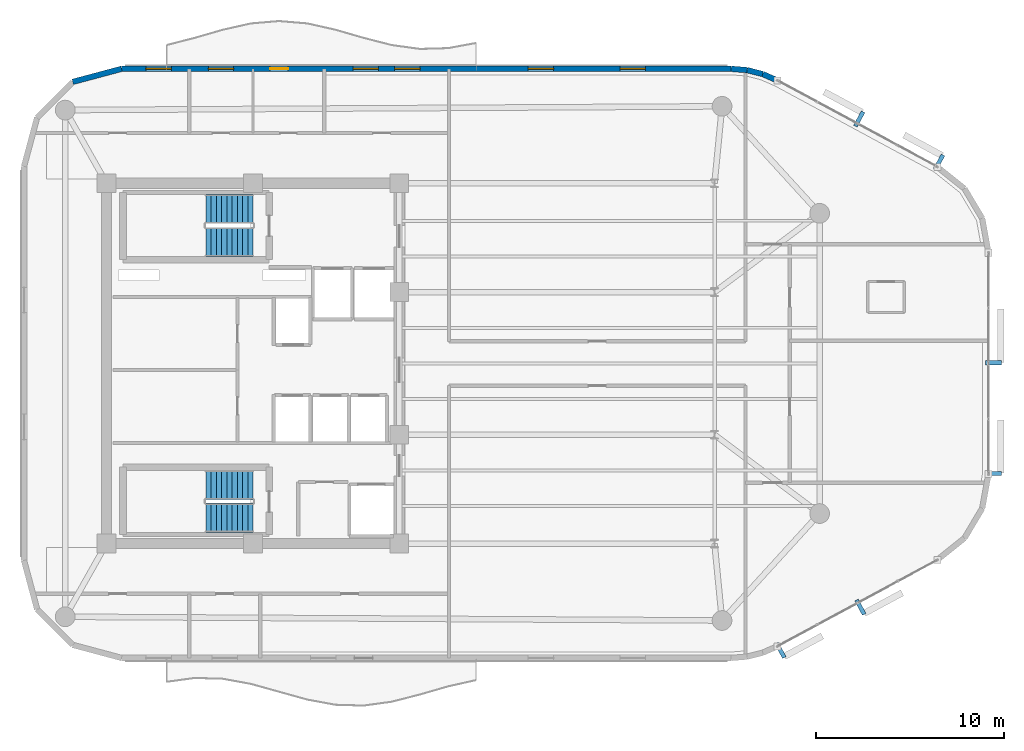
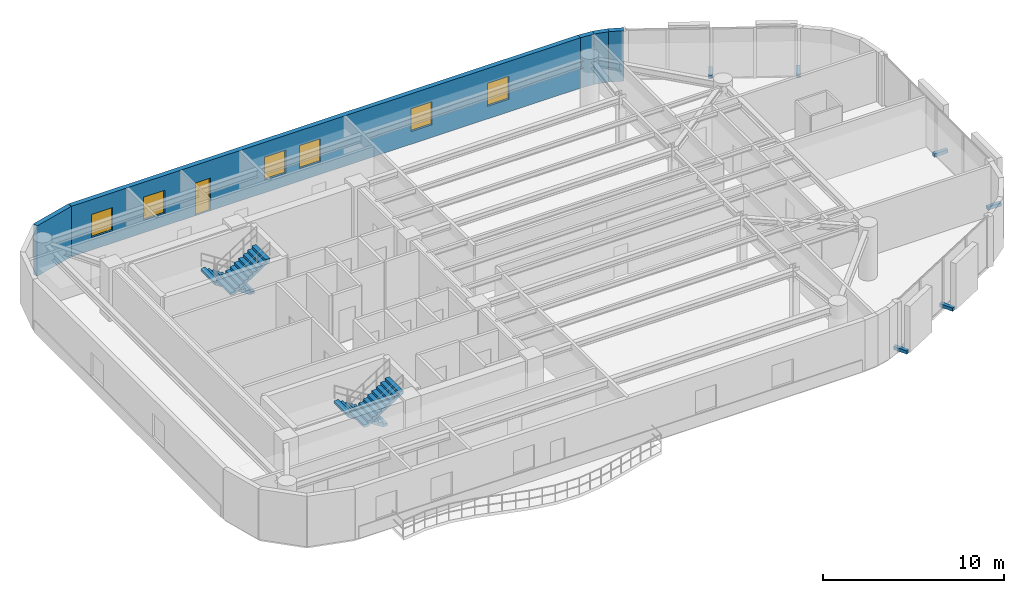
# One storey, part 11 of 13: 6 discrete accessories, 6 windows, 5 walls, 4 stair flights, 1 door, 7 openings, 2 elements without a shape of their own.
"""IFC4 building model written with IfcOpenShell, lengths in metres."""

from ifc_helpers import new_model, si_unit, direction, frame, frame_2d, origin, origin_2d, place, context, subcontext, project, spatial, polyline, rectangle, outline, extrude, material, layer, layer_set, type_object, element, fill, aggregate, save


model = new_model("IFC4")

# Units and contexts
model_context = context("Model", 3, precision=1e-05, world=origin(), true_north=direction((0.0, 1.0)))
body_context = subcontext(model_context, "Body", "Model", "MODEL_VIEW")
ifc_project = project(units=[si_unit("LENGTHUNIT", "METRE"), si_unit("AREAUNIT", "SQUARE_METRE"), si_unit("VOLUMEUNIT", "CUBIC_METRE"), si_unit("PLANEANGLEUNIT", "RADIAN"), si_unit("MASSUNIT", "GRAM", prefix="KILO")], contexts=[model_context])

# Site, building, storey
site_placement = place(None, origin())
site = spatial("IfcSite", under=ifc_project, at=site_placement, CompositionType="ELEMENT")
building_placement = place(site_placement, origin())
building = spatial("IfcBuilding", under=site, at=building_placement, Name="An Khanh Terracotta Commons", CompositionType="ELEMENT")
storey_placement = place(building_placement, frame((0.0, 0.0, 226.5)))
storey = spatial("IfcBuildingStorey", under=building, at=storey_placement, Name="L59", CompositionType="ELEMENT", Elevation=226.5)

# Walls
ifc_material_1 = material(Name="Precast concrete C40/50", Category="concrete")
ifc_layer = layer(ifc_material_1, 0.300048828125, Name="Precast concrete C40/50")
ifc_layer_set = layer_set([ifc_layer], Name="Precast concrete C40/50")
wall_type = type_object("IfcWallType", Name="WALL-EXT-300", PredefinedType="SOLIDWALL", material=ifc_layer_set)
wall_1_placement = place(storey_placement, frame((57.35693359375, 39.074951171875, 0.0), z_axis=(0.0, 0.0, 1.0), x_axis=(-0.916085473636, 0.400983048261, 0.0)))
element("IfcWall", 1, at=wall_1_placement, inside=storey, type_object=wall_type, Name="L59 Insulated Terracotta Exterior Wall 17", PredefinedType="SOLIDWALL", context=body_context, shape_type="SweptSolid", body=[
    extrude(rectangle(XDim=0.85791015625, YDim=0.300048828125, at=frame_2d((0.428955078125, 0.0))), origin(), (0.0, 0.0, 1.0), 3.39990234375),
])
wall_2_placement = place(storey_placement, frame((56.571044921875, 39.4189453125, 0.0), z_axis=(0.0, 0.0, 1.0), x_axis=(-0.969536346338, 0.244947490555, 0.0)))
element("IfcWall", 2, at=wall_2_placement, inside=storey, type_object=wall_type, Name="L59 Insulated Terracotta Exterior Wall 18", PredefinedType="SOLIDWALL", context=body_context, shape_type="SweptSolid", body=[
    extrude(rectangle(XDim=0.857177734375, YDim=0.300048828125, at=frame_2d((0.4287109375, 0.0))), origin(), (0.0, 0.0, 1.0), 3.39990234375),
])
wall_3_placement = place(storey_placement, frame((55.739990234375, 39.62890625, 0.0), z_axis=(0.0, 0.0, 1.0), x_axis=(-0.996565355958, 0.082809971041, 0.0)))
element("IfcWall", 3, at=wall_3_placement, inside=storey, type_object=wall_type, Name="L59 Insulated Terracotta Exterior Wall 19", PredefinedType="SOLIDWALL", context=body_context, shape_type="SweptSolid", body=[
    extrude(rectangle(XDim=0.85791015625, YDim=0.300048828125, at=frame_2d((0.428955078125, 0.0))), origin(), (0.0, 0.0, 1.0), 3.39990234375),
])

# Wall, openings, door, windows
wall_4_placement = place(storey_placement, frame((54.885009765625, 39.699951171875, 0.0), z_axis=(0.0, 0.0, 1.0), x_axis=(-1.0, 0.0, 0.0)))
wall_4 = element("IfcWall", 4, at=wall_4_placement, inside=storey, type_object=wall_type, Name="L59 Insulated Terracotta Exterior Wall 20", PredefinedType="SOLIDWALL", context=body_context, shape_type="SweptSolid", body=[
    extrude(rectangle(XDim=32.485107421875, YDim=0.300048828125, at=frame_2d((16.24267578125, 0.0))), origin(), (0.0, 0.0, 1.0), 3.39990234375),
])
opening_1_placement = place(wall_4_placement, frame((23.610107421875, 0.0, 0.0)))
opening_1 = element("IfcOpeningElement", 5, at=opening_1_placement, cuts=wall_4, Name="Opening D-BAL", PredefinedType="OPENING", context=body_context, shape_type="SweptSolid", body=[
    extrude(rectangle(XDim=0.949951171875, YDim=2.199951171875, at=frame_2d((0.47509765625, 1.10009765625))), frame((0.0, 0.159912109375, 0.0), z_axis=(0.0, -1.0, 0.0), x_axis=(1.0, 0.0, 0.0)), (0.0, 0.0, 1.0), 0.320068359375),
])
opening_2_placement = place(wall_4_placement, frame((4.570068359375, 0.0, 0.85009765625)))
opening_2 = element("IfcOpeningElement", 6, at=opening_2_placement, cuts=wall_4, Name="Opening W-04", PredefinedType="OPENING", context=body_context, shape_type="SweptSolid", body=[
    extrude(rectangle(XDim=1.35009765625, YDim=1.550048828125, at=frame_2d((0.675048828125, 0.77490234375))), frame((0.0, 0.159912109375, 0.0), z_axis=(0.0, -1.0, 0.0), x_axis=(1.0, 0.0, 0.0)), (0.0, 0.0, 1.0), 0.320068359375),
])
opening_3_placement = place(wall_4_placement, frame((9.465087890625, 0.0, 0.85009765625)))
opening_3 = element("IfcOpeningElement", 7, at=opening_3_placement, cuts=wall_4, Name="Opening W-04", PredefinedType="OPENING", context=body_context, shape_type="SweptSolid", body=[
    extrude(rectangle(XDim=1.35009765625, YDim=1.550048828125, at=frame_2d((0.675048828125, 0.77490234375))), frame((0.0, 0.159912109375, 0.0), z_axis=(0.0, -1.0, 0.0), x_axis=(1.0, 0.0, 0.0)), (0.0, 0.0, 1.0), 0.320068359375),
])
opening_4_placement = place(wall_4_placement, frame((16.576904296875, 0.0, 0.85009765625)))
opening_4 = element("IfcOpeningElement", 8, at=opening_4_placement, cuts=wall_4, Name="Opening W-04", PredefinedType="OPENING", context=body_context, shape_type="SweptSolid", body=[
    extrude(rectangle(XDim=1.35009765625, YDim=1.550048828125, at=frame_2d((0.675048828125, 0.77490234375))), frame((0.0, 0.159912109375, 0.0), z_axis=(0.0, -1.0, 0.0), x_axis=(1.0, 0.0, 0.0)), (0.0, 0.0, 1.0), 0.320068359375),
])
opening_5_placement = place(wall_4_placement, frame((18.79296875, 0.0, 0.85009765625)))
opening_5 = element("IfcOpeningElement", 9, at=opening_5_placement, cuts=wall_4, Name="Opening W-04", PredefinedType="OPENING", context=body_context, shape_type="SweptSolid", body=[
    extrude(rectangle(XDim=1.35009765625, YDim=1.550048828125, at=frame_2d((0.675048828125, 0.77490234375))), frame((0.0, 0.159912109375, 0.0), z_axis=(0.0, -1.0, 0.0), x_axis=(1.0, 0.0, 0.0)), (0.0, 0.0, 1.0), 0.320068359375),
])
opening_6_placement = place(wall_4_placement, frame((26.510009765625, 0.0, 0.85009765625)))
opening_6 = element("IfcOpeningElement", 10, at=opening_6_placement, cuts=wall_4, Name="Opening W-04", PredefinedType="OPENING", context=body_context, shape_type="SweptSolid", body=[
    extrude(rectangle(XDim=1.35009765625, YDim=1.550048828125, at=frame_2d((0.675048828125, 0.77490234375))), frame((0.0, 0.159912109375, 0.0), z_axis=(0.0, -1.0, 0.0), x_axis=(1.0, 0.0, 0.0)), (0.0, 0.0, 1.0), 0.320068359375),
])
opening_7_placement = place(wall_4_placement, frame((29.8349609375, 0.0, 0.85009765625)))
opening_7 = element("IfcOpeningElement", 11, at=opening_7_placement, cuts=wall_4, Name="Opening W-04", PredefinedType="OPENING", context=body_context, shape_type="SweptSolid", body=[
    extrude(rectangle(XDim=1.35009765625, YDim=1.550048828125, at=frame_2d((0.675048828125, 0.77490234375))), frame((0.0, 0.159912109375, 0.0), z_axis=(0.0, -1.0, 0.0), x_axis=(1.0, 0.0, 0.0)), (0.0, 0.0, 1.0), 0.320068359375),
])
ifc_material_2 = material(Name="Thermally Broken Aluminium and Low-E Glass", Category="aluminium")
door_type = type_object("IfcDoorType", Name="DOOR-BALC-950", OperationType="NOTDEFINED", PredefinedType="DOOR", material=ifc_material_2)
door_placement = place(opening_1_placement, origin())
door = element("IfcDoor", 12, at=door_placement, inside=storey, type_object=door_type, Name="L59 N Wave Balcony Glazed Door", OperationType="SINGLE_SWING_RIGHT", OverallHeight=2.199951171875, OverallWidth=0.949951171875, PredefinedType="DOOR", context=body_context, shape_type="SweptSolid", body=[
    extrude(rectangle(XDim=0.949951171875, YDim=2.199951171875, at=frame_2d((0.47509765625, 1.10009765625))), frame((0.0, 0.02490234375, 0.0), z_axis=(0.0, -1.0, 0.0), x_axis=(1.0, 0.0, 0.0)), (0.0, 0.0, 1.0), 0.050048828125),
])
fill(opening_1, door)
window_type = type_object("IfcWindowType", Name="WIN-Z4-1350x1550", PartitioningType="SINGLE_PANEL", PredefinedType="WINDOW", material=ifc_material_2)
window_1_placement = place(opening_2_placement, origin())
window_1 = element("IfcWindow", 13, at=window_1_placement, inside=storey, type_object=window_type, Name="L59 Operable Casement Window 20.1", OverallHeight=1.550048828125, OverallWidth=1.35009765625, PartitioningType="SINGLE_PANEL", PredefinedType="WINDOW", context=body_context, shape_type="SweptSolid", body=[
    extrude(rectangle(XDim=1.35009765625, YDim=1.550048828125, at=frame_2d((0.675048828125, 0.77490234375))), frame((0.0, 0.030029296875, 0.0), z_axis=(0.0, -1.0, 0.0), x_axis=(1.0, 0.0, 0.0)), (0.0, 0.0, 1.0), 0.06005859375),
])
fill(opening_2, window_1)
window_2_placement = place(opening_3_placement, origin())
window_2 = element("IfcWindow", 14, at=window_2_placement, inside=storey, type_object=window_type, Name="L59 Operable Casement Window 20.2", OverallHeight=1.550048828125, OverallWidth=1.35009765625, PartitioningType="SINGLE_PANEL", PredefinedType="WINDOW", context=body_context, shape_type="SweptSolid", body=[
    extrude(rectangle(XDim=1.35009765625, YDim=1.550048828125, at=frame_2d((0.675048828125, 0.77490234375))), frame((0.0, 0.030029296875, 0.0), z_axis=(0.0, -1.0, 0.0), x_axis=(1.0, 0.0, 0.0)), (0.0, 0.0, 1.0), 0.06005859375),
])
fill(opening_3, window_2)
window_3_placement = place(opening_4_placement, origin())
window_3 = element("IfcWindow", 15, at=window_3_placement, inside=storey, type_object=window_type, Name="L59 Operable Casement Window 20.3", OverallHeight=1.550048828125, OverallWidth=1.35009765625, PartitioningType="SINGLE_PANEL", PredefinedType="WINDOW", context=body_context, shape_type="SweptSolid", body=[
    extrude(rectangle(XDim=1.35009765625, YDim=1.550048828125, at=frame_2d((0.675048828125, 0.77490234375))), frame((0.0, 0.030029296875, 0.0), z_axis=(0.0, -1.0, 0.0), x_axis=(1.0, 0.0, 0.0)), (0.0, 0.0, 1.0), 0.06005859375),
])
fill(opening_4, window_3)
window_4_placement = place(opening_5_placement, origin())
window_4 = element("IfcWindow", 16, at=window_4_placement, inside=storey, type_object=window_type, Name="L59 Operable Casement Window 20.4", OverallHeight=1.550048828125, OverallWidth=1.35009765625, PartitioningType="SINGLE_PANEL", PredefinedType="WINDOW", context=body_context, shape_type="SweptSolid", body=[
    extrude(rectangle(XDim=1.35009765625, YDim=1.550048828125, at=frame_2d((0.675048828125, 0.77490234375))), frame((0.0, 0.030029296875, 0.0), z_axis=(0.0, -1.0, 0.0), x_axis=(1.0, 0.0, 0.0)), (0.0, 0.0, 1.0), 0.06005859375),
])
fill(opening_5, window_4)
window_5_placement = place(opening_6_placement, origin())
window_5 = element("IfcWindow", 17, at=window_5_placement, inside=storey, type_object=window_type, Name="L59 Operable Casement Window 20.5", OverallHeight=1.550048828125, OverallWidth=1.35009765625, PartitioningType="SINGLE_PANEL", PredefinedType="WINDOW", context=body_context, shape_type="SweptSolid", body=[
    extrude(rectangle(XDim=1.35009765625, YDim=1.550048828125, at=frame_2d((0.675048828125, 0.77490234375))), frame((0.0, 0.030029296875, 0.0), z_axis=(0.0, -1.0, 0.0), x_axis=(1.0, 0.0, 0.0)), (0.0, 0.0, 1.0), 0.06005859375),
])
fill(opening_6, window_5)
window_6_placement = place(opening_7_placement, origin())
window_6 = element("IfcWindow", 18, at=window_6_placement, inside=storey, type_object=window_type, Name="L59 Operable Casement Window 20.6", OverallHeight=1.550048828125, OverallWidth=1.35009765625, PartitioningType="SINGLE_PANEL", PredefinedType="WINDOW", context=body_context, shape_type="SweptSolid", body=[
    extrude(rectangle(XDim=1.35009765625, YDim=1.550048828125, at=frame_2d((0.675048828125, 0.77490234375))), frame((0.0, 0.030029296875, 0.0), z_axis=(0.0, -1.0, 0.0), x_axis=(1.0, 0.0, 0.0)), (0.0, 0.0, 1.0), 0.06005859375),
])
fill(opening_7, window_6)

# Wall
wall_5_placement = place(storey_placement, frame((22.39990234375, 39.699951171875, 0.0), z_axis=(0.0, 0.0, 1.0), x_axis=(-0.965889330541, -0.258955210695, 0.0)))
element("IfcWall", 19, at=wall_5_placement, inside=storey, type_object=wall_type, Name="L59 Insulated Terracotta Exterior Wall 21", PredefinedType="SOLIDWALL", context=body_context, shape_type="SweptSolid", body=[
    extrude(rectangle(XDim=2.691650390625, YDim=0.300048828125, at=frame_2d((1.345703125, 0.0))), origin(), (0.0, 0.0, 1.0), 3.39990234375),
])

# Stair, stair flights
stair_type = type_object("IfcStairType", Name="STAIR-CORE-1550", PredefinedType="HALF_TURN_STAIR", material=ifc_material_1)
stair_1_placement = place(storey_placement, origin())
stair_1 = element("IfcStair", 20, at=stair_1_placement, inside=storey, type_object=stair_type, Name="L59 Core Smokeproof Exit Stair ST-01", PredefinedType="HALF_TURN_STAIR")
stair_flight_type = type_object("IfcStairFlightType", Name="FLIGHT-CORE-1550", PredefinedType="STRAIGHT", material=ifc_material_1)
stair_flight_1_placement = place(storey_placement, frame((29.409912109375, 32.22509765625, 0.0), z_axis=(0.0, 0.0, 1.0), x_axis=(-1.0, 0.0, 0.0)))
stair_flight_1 = element("IfcStairFlight", 21, at=stair_flight_1_placement, type_object=stair_flight_type, Name="ST-01 flight 1", NumberOfRisers=10, NumberOfTreads=9, PredefinedType="STRAIGHT", RiserHeight=0.18, TreadLength=0.28, context=body_context, shape_type="SweptSolid", body=[
    extrude(outline(polyline([(0.0, 0.0), (0.0, 0.179931640625), (0.280029296875, 0.179931640625), (0.280029296875, 0.360107421875), (0.56005859375, 0.360107421875), (0.56005859375, 0.5400390625), (0.840087890625, 0.5400390625), (0.840087890625, 0.719970703125), (1.1201171875, 0.719970703125), (1.1201171875, 0.89990234375), (1.39990234375, 0.89990234375), (1.39990234375, 1.080078125), (1.679931640625, 1.080078125), (1.679931640625, 1.260009765625), (1.9599609375, 1.260009765625), (1.9599609375, 1.43994140625), (2.239990234375, 1.43994140625), (2.239990234375, 1.6201171875), (2.52001953125, 1.6201171875), (2.52001953125, 1.800048828125), (2.52001953125, 1.44189453125), (0.277099609375, 0.0), (0.0, 0.0)])), frame((0.0, 0.77490234375, 0.0), z_axis=(0.0, -1.0, 0.0), x_axis=(1.0, 0.0, 0.0)), (0.0, 0.0, 1.0), 1.550048828125),
])
stair_flight_2_placement = place(storey_placement, frame((26.889892578125, 30.47509765625, 1.800048828125), z_axis=(0.0, 0.0, 1.0), x_axis=(1.0, 0.0, 0.0)))
stair_flight_2 = element("IfcStairFlight", 22, at=stair_flight_2_placement, type_object=stair_flight_type, Name="ST-01 flight 2", NumberOfRisers=10, NumberOfTreads=9, PredefinedType="STRAIGHT", RiserHeight=0.18, TreadLength=0.28, context=body_context, shape_type="SweptSolid", body=[
    extrude(outline(polyline([(0.0, 0.0), (0.0, 0.179931640625), (0.280029296875, 0.179931640625), (0.280029296875, 0.360107421875), (0.56005859375, 0.360107421875), (0.56005859375, 0.5400390625), (0.840087890625, 0.5400390625), (0.840087890625, 0.719970703125), (1.1201171875, 0.719970703125), (1.1201171875, 0.89990234375), (1.39990234375, 0.89990234375), (1.39990234375, 1.080078125), (1.679931640625, 1.080078125), (1.679931640625, 1.260009765625), (1.9599609375, 1.260009765625), (1.9599609375, 1.43994140625), (2.239990234375, 1.43994140625), (2.239990234375, 1.6201171875), (2.52001953125, 1.6201171875), (2.52001953125, 1.800048828125), (2.52001953125, 1.44189453125), (0.277099609375, 0.0), (0.0, 0.0)])), frame((0.0, 0.77490234375, 0.0), z_axis=(0.0, -1.0, 0.0), x_axis=(1.0, 0.0, 0.0)), (0.0, 0.0, 1.0), 1.550048828125),
])
aggregate(stair_1, [stair_flight_1, stair_flight_2])

stair_2_placement = place(storey_placement, origin())
stair_2 = element("IfcStair", 23, at=stair_2_placement, inside=storey, type_object=stair_type, Name="L59 Core Smokeproof Exit Stair ST-02", PredefinedType="HALF_TURN_STAIR")
stair_flight_3_placement = place(storey_placement, frame((29.409912109375, 17.52490234375, 0.0), z_axis=(0.0, 0.0, 1.0), x_axis=(-1.0, 0.0, 0.0)))
stair_flight_3 = element("IfcStairFlight", 24, at=stair_flight_3_placement, type_object=stair_flight_type, Name="ST-02 flight 1", NumberOfRisers=10, NumberOfTreads=9, PredefinedType="STRAIGHT", RiserHeight=0.18, TreadLength=0.28, context=body_context, shape_type="SweptSolid", body=[
    extrude(outline(polyline([(0.0, 0.0), (0.0, 0.179931640625), (0.280029296875, 0.179931640625), (0.280029296875, 0.360107421875), (0.56005859375, 0.360107421875), (0.56005859375, 0.5400390625), (0.840087890625, 0.5400390625), (0.840087890625, 0.719970703125), (1.1201171875, 0.719970703125), (1.1201171875, 0.89990234375), (1.39990234375, 0.89990234375), (1.39990234375, 1.080078125), (1.679931640625, 1.080078125), (1.679931640625, 1.260009765625), (1.9599609375, 1.260009765625), (1.9599609375, 1.43994140625), (2.239990234375, 1.43994140625), (2.239990234375, 1.6201171875), (2.52001953125, 1.6201171875), (2.52001953125, 1.800048828125), (2.52001953125, 1.44189453125), (0.277099609375, 0.0), (0.0, 0.0)])), frame((0.0, 0.77490234375, 0.0), z_axis=(0.0, -1.0, 0.0), x_axis=(1.0, 0.0, 0.0)), (0.0, 0.0, 1.0), 1.550048828125),
])
stair_flight_4_placement = place(storey_placement, frame((26.889892578125, 15.77490234375, 1.800048828125), z_axis=(0.0, 0.0, 1.0), x_axis=(1.0, 0.0, 0.0)))
stair_flight_4 = element("IfcStairFlight", 25, at=stair_flight_4_placement, type_object=stair_flight_type, Name="ST-02 flight 2", NumberOfRisers=10, NumberOfTreads=9, PredefinedType="STRAIGHT", RiserHeight=0.18, TreadLength=0.28, context=body_context, shape_type="SweptSolid", body=[
    extrude(outline(polyline([(0.0, 0.0), (0.0, 0.179931640625), (0.280029296875, 0.179931640625), (0.280029296875, 0.360107421875), (0.56005859375, 0.360107421875), (0.56005859375, 0.5400390625), (0.840087890625, 0.5400390625), (0.840087890625, 0.719970703125), (1.1201171875, 0.719970703125), (1.1201171875, 0.89990234375), (1.39990234375, 0.89990234375), (1.39990234375, 1.080078125), (1.679931640625, 1.080078125), (1.679931640625, 1.260009765625), (1.9599609375, 1.260009765625), (1.9599609375, 1.43994140625), (2.239990234375, 1.43994140625), (2.239990234375, 1.6201171875), (2.52001953125, 1.6201171875), (2.52001953125, 1.800048828125), (2.52001953125, 1.44189453125), (0.277099609375, 0.0), (0.0, 0.0)])), frame((0.0, 0.77490234375, 0.0), z_axis=(0.0, -1.0, 0.0), x_axis=(1.0, 0.0, 0.0)), (0.0, 0.0, 1.0), 1.550048828125),
])
aggregate(stair_2, [stair_flight_3, stair_flight_4])

# Discrete accessories
ifc_material_3 = material(Name="Stainless Steel Grade 316L", Category="steel")
discrete_accessory_type = type_object("IfcDiscreteAccessoryType", Name="Stainless Outrigger Facade Bracket", PredefinedType="BRACKET", material=ifc_material_3)
for number, where, z_axis, x_axis, name in (
    (26, (57.513916015625, 8.7080078125, 0.06982421875), (0.0, 0.0, 1.0), (0.879780095306, 0.47538088298, 0.0), "L59 Terracotta Screen Outrigger Bracket 1"),
    (27, (61.77099609375, 11.009033203125, 0.06982421875), (0.0, 0.0, 1.0), (0.879780095306, 0.47538088298, 0.0), "L59 Terracotta Screen Outrigger Bracket 3"),
    (28, (68.864990234375, 18.135986328125, 0.06982421875), (0.0, 0.0, 1.0), (0.0, 1.0, 0.0), "L59 Terracotta Screen Outrigger Bracket 1"),
    (29, (68.864990234375, 24.034912109375, 0.06982421875), (0.0, 0.0, 1.0), (0.0, 1.0, 0.0), "L59 Terracotta Screen Outrigger Bracket 3"),
    (30, (65.967041015625, 34.72412109375, 0.06982421875), (0.0, 0.0, 1.0), (-0.879780095306, 0.47538088298, 0.0), "L59 Terracotta Screen Outrigger Bracket 1"),
    (31, (61.7099609375, 37.02392578125, 0.06982421875), (0.0, 0.0, 1.0), (-0.879780095306, 0.47538088298, 0.0), "L59 Terracotta Screen Outrigger Bracket 3"),
):
    element("IfcDiscreteAccessory", number, at=place(storey_placement, frame(where, z_axis=z_axis, x_axis=x_axis)), inside=storey, type_object=discrete_accessory_type, Name=name, PredefinedType="BRACKET", context=body_context, shape_type="SweptSolid", body=[
        extrude(rectangle(XDim=0.219970703125, YDim=0.8701171875, at=origin_2d()), origin(), (0.0, 0.0, 1.0), 0.219970703125),
    ])

save(model, "model.ifc")
